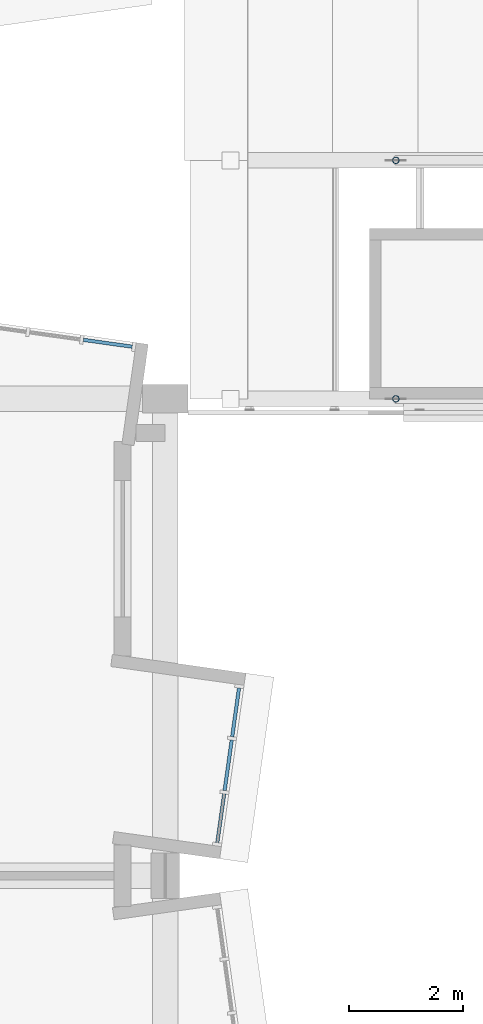
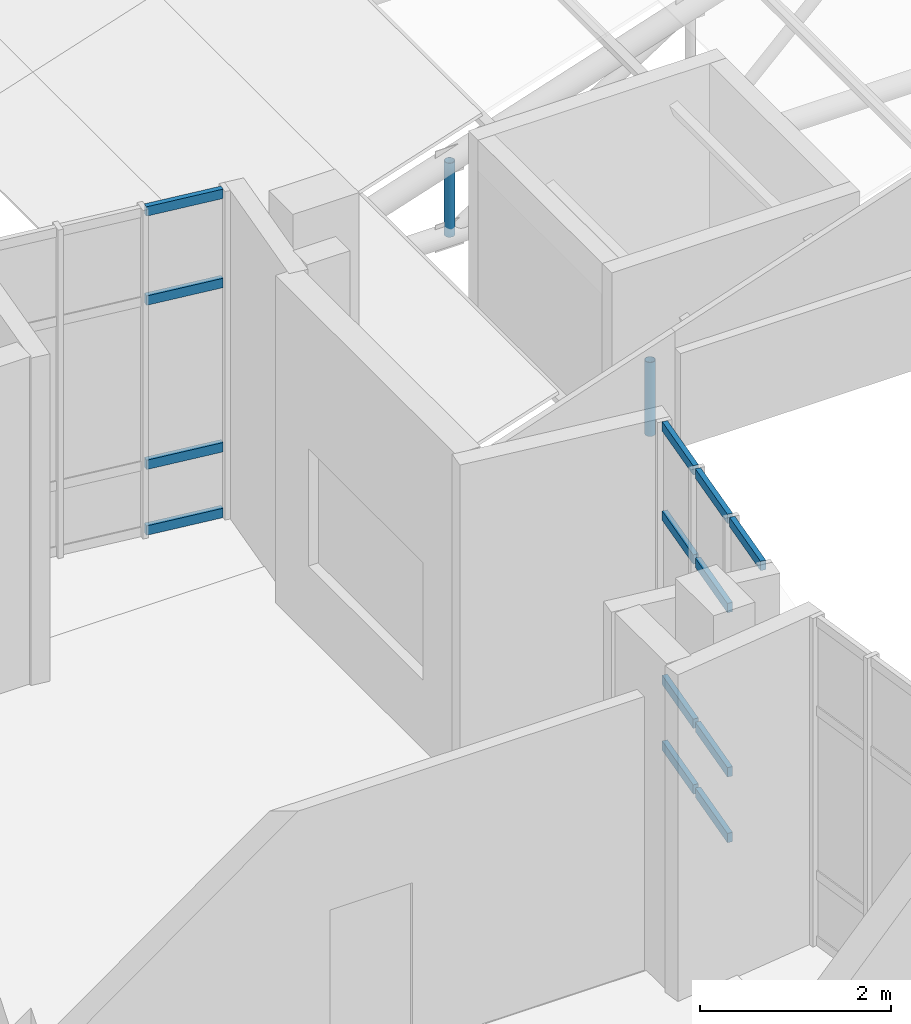
# One storey, part 59 of 95: 15 members, 2 elements without a shape of their own.
"""IFC4 building model written with IfcOpenShell, lengths in metres."""

from ifc_helpers import new_model, si_unit, direction, frame, origin, origin_2d, place, context, subcontext, project, spatial, rectangle, hollow_circle, extrude, material, layer, layer_set, material_profile, profile_set, type_object, element, aggregate, save


model = new_model("IFC4")

# Units and contexts
model_context = context("Model", 3, precision=1e-05, world=origin(), true_north=direction((0.0, 1.0)))
body_context = subcontext(model_context, "Body", "Model", "MODEL_VIEW")
ifc_project = project(units=[si_unit("LENGTHUNIT", "METRE"), si_unit("AREAUNIT", "SQUARE_METRE"), si_unit("VOLUMEUNIT", "CUBIC_METRE"), si_unit("PLANEANGLEUNIT", "RADIAN"), si_unit("MASSUNIT", "GRAM", prefix="KILO")], contexts=[model_context])

# Site, building, storey
site_placement = place(None, origin())
site = spatial("IfcSite", under=ifc_project, at=site_placement, CompositionType="ELEMENT")
building_placement = place(site_placement, origin())
building = spatial("IfcBuilding", under=site, at=building_placement, Name="Kiln Court Media Centre", CompositionType="ELEMENT")
storey_placement = place(building_placement, frame((0.0, 0.0, 24.60009765625)))
storey = spatial("IfcBuildingStorey", under=building, at=storey_placement, Name="L05", CompositionType="ELEMENT", Elevation=24.60009765625)

# Curtain wall, members
ifc_material_1 = material(Name="Aluminium 6063-T6", Category="aluminium")
ifc_layer = layer(ifc_material_1, 0.1201171875)
ifc_layer_set = layer_set([ifc_layer], Name="Aluminium unitised bay curtain wall")
curtain_wall_type = type_object("IfcCurtainWallType", Name="Aluminium unitised bay curtain wall", PredefinedType="USERDEFINED", material=ifc_layer_set)
curtain_wall_1_placement = place(storey_placement, origin())
curtain_wall_1 = element("IfcCurtainWall", 1, at=curtain_wall_1_placement, inside=storey, type_object=curtain_wall_type, Name="BAY V6A-E-L05-05 front", ObjectType="UNITISED CURTAIN WALL", PredefinedType="USERDEFINED")
ifc_material_2 = material(Name="Aluminium 6063-T6", Category="aluminium")
ifc_material_profile_1 = material_profile(ifc_material_2, rectangle(XDim=0.06005859375, YDim=0.1201171875, at=origin_2d()), Name="Aluminium transom 60x120")
ifc_profile_set_1 = profile_set([ifc_material_profile_1], Name="Aluminium 6063-T6")
member_type_1 = type_object("IfcMemberType", Name="Aluminium transom 60x120", PredefinedType="USERDEFINED", material=ifc_profile_set_1)
member_1_placement = place(storey_placement, frame((34.517822265625, 17.382568359375, 4.139892578125), z_axis=(0.139172815303, 0.990268108888, 0.0), x_axis=(-0.990268108888, 0.139172815303, 0.0)))
member_1 = element("IfcMember", 2, at=member_1_placement, type_object=member_type_1, Name="CW5-07 transom 1.4", ObjectType="TRANSOM", PredefinedType="USERDEFINED", context=body_context, shape_type="SweptSolid", body=[
    extrude(rectangle(XDim=0.06005859375, YDim=0.1201171875, at=origin_2d()), origin(), (0.0, 0.0, 1.0), 0.86669921875),
])
member_2_placement = place(storey_placement, frame((34.646728515625, 18.30029296875, 0.059814453125), z_axis=(0.13913384707, 0.990273584723, 0.0), x_axis=(-0.990273584723, 0.13913384707, 0.0)))
member_2 = element("IfcMember", 3, at=member_2_placement, type_object=member_type_1, Name="CW5-07 transom 2.1", ObjectType="TRANSOM", PredefinedType="USERDEFINED", context=body_context, shape_type="SweptSolid", body=[
    extrude(rectangle(XDim=0.06005859375, YDim=0.1201171875, at=origin_2d()), origin(), (0.0, 0.0, 1.0), 0.896728515625),
])
member_3_placement = place(storey_placement, frame((34.646728515625, 18.30029296875, 0.89990234375), z_axis=(0.13913384707, 0.990273584723, 0.0), x_axis=(-0.990273584723, 0.13913384707, 0.0)))
member_3 = element("IfcMember", 4, at=member_3_placement, type_object=member_type_1, Name="CW5-07 transom 2.2", ObjectType="TRANSOM", PredefinedType="USERDEFINED", context=body_context, shape_type="SweptSolid", body=[
    extrude(rectangle(XDim=0.06005859375, YDim=0.1201171875, at=origin_2d()), origin(), (0.0, 0.0, 1.0), 0.896728515625),
])
member_4_placement = place(storey_placement, frame((34.646728515625, 18.30029296875, 3.0), z_axis=(0.13913384707, 0.990273584723, 0.0), x_axis=(-0.990273584723, 0.13913384707, 0.0)))
member_4 = element("IfcMember", 5, at=member_4_placement, type_object=member_type_1, Name="CW5-07 transom 2.3", ObjectType="TRANSOM", PredefinedType="USERDEFINED", context=body_context, shape_type="SweptSolid", body=[
    extrude(rectangle(XDim=0.06005859375, YDim=0.1201171875, at=origin_2d()), origin(), (0.0, 0.0, 1.0), 0.896728515625),
])
member_5_placement = place(storey_placement, frame((34.646728515625, 18.30029296875, 4.139892578125), z_axis=(0.13913384707, 0.990273584723, 0.0), x_axis=(-0.990273584723, 0.13913384707, 0.0)))
member_5 = element("IfcMember", 6, at=member_5_placement, type_object=member_type_1, Name="CW5-07 transom 2.4", ObjectType="TRANSOM", PredefinedType="USERDEFINED", context=body_context, shape_type="SweptSolid", body=[
    extrude(rectangle(XDim=0.06005859375, YDim=0.1201171875, at=origin_2d()), origin(), (0.0, 0.0, 1.0), 0.896728515625),
])
member_6_placement = place(storey_placement, frame((34.77978515625, 19.24755859375, 0.059814453125), z_axis=(0.139172815303, 0.990268108888, 0.0), x_axis=(-0.990268108888, 0.139172815303, 0.0)))
member_6 = element("IfcMember", 7, at=member_6_placement, type_object=member_type_1, Name="CW5-07 transom 3.1", ObjectType="TRANSOM", PredefinedType="USERDEFINED", context=body_context, shape_type="SweptSolid", body=[
    extrude(rectangle(XDim=0.06005859375, YDim=0.1201171875, at=origin_2d()), origin(), (0.0, 0.0, 1.0), 0.86669921875),
])
member_7_placement = place(storey_placement, frame((34.77978515625, 19.24755859375, 0.89990234375), z_axis=(0.139172815303, 0.990268108888, 0.0), x_axis=(-0.990268108888, 0.139172815303, 0.0)))
member_7 = element("IfcMember", 8, at=member_7_placement, type_object=member_type_1, Name="CW5-07 transom 3.2", ObjectType="TRANSOM", PredefinedType="USERDEFINED", context=body_context, shape_type="SweptSolid", body=[
    extrude(rectangle(XDim=0.06005859375, YDim=0.1201171875, at=origin_2d()), origin(), (0.0, 0.0, 1.0), 0.86669921875),
])
member_8_placement = place(storey_placement, frame((34.77978515625, 19.24755859375, 3.0), z_axis=(0.139172815303, 0.990268108888, 0.0), x_axis=(-0.990268108888, 0.139172815303, 0.0)))
member_8 = element("IfcMember", 9, at=member_8_placement, type_object=member_type_1, Name="CW5-07 transom 3.3", ObjectType="TRANSOM", PredefinedType="USERDEFINED", context=body_context, shape_type="SweptSolid", body=[
    extrude(rectangle(XDim=0.06005859375, YDim=0.1201171875, at=origin_2d()), origin(), (0.0, 0.0, 1.0), 0.86669921875),
])
member_9_placement = place(storey_placement, frame((34.77978515625, 19.24755859375, 4.139892578125), z_axis=(0.139172815303, 0.990268108888, 0.0), x_axis=(-0.990268108888, 0.139172815303, 0.0)))
member_9 = element("IfcMember", 10, at=member_9_placement, type_object=member_type_1, Name="CW5-07 transom 3.4", ObjectType="TRANSOM", PredefinedType="USERDEFINED", context=body_context, shape_type="SweptSolid", body=[
    extrude(rectangle(XDim=0.06005859375, YDim=0.1201171875, at=origin_2d()), origin(), (0.0, 0.0, 1.0), 0.86669921875),
])
aggregate(curtain_wall_1, [member_1, member_2, member_3, member_4, member_5, member_6, member_7, member_8, member_9])

curtain_wall_2_placement = place(storey_placement, origin())
curtain_wall_2 = element("IfcCurtainWall", 11, at=curtain_wall_2_placement, inside=storey, type_object=curtain_wall_type, Name="BAY V6A-N-L05-36 front", ObjectType="UNITISED CURTAIN WALL", PredefinedType="USERDEFINED")
member_10_placement = place(storey_placement, frame((32.1591796875, 26.23828125, 0.059814453125), z_axis=(0.990273563383, -0.139133998951, 0.0), x_axis=(0.139133998951, 0.990273563383, 0.0)))
member_10 = element("IfcMember", 12, at=member_10_placement, type_object=member_type_1, Name="CW5-14 transom 3.1", ObjectType="TRANSOM", PredefinedType="USERDEFINED", context=body_context, shape_type="SweptSolid", body=[
    extrude(rectangle(XDim=0.06005859375, YDim=0.1201171875, at=origin_2d()), origin(), (0.0, 0.0, 1.0), 0.866943359375),
])
member_11_placement = place(storey_placement, frame((32.1591796875, 26.23828125, 0.89990234375), z_axis=(0.990273563383, -0.139133998951, 0.0), x_axis=(0.139133998951, 0.990273563383, 0.0)))
member_11 = element("IfcMember", 13, at=member_11_placement, type_object=member_type_1, Name="CW5-14 transom 3.2", ObjectType="TRANSOM", PredefinedType="USERDEFINED", context=body_context, shape_type="SweptSolid", body=[
    extrude(rectangle(XDim=0.06005859375, YDim=0.1201171875, at=origin_2d()), origin(), (0.0, 0.0, 1.0), 0.866943359375),
])
member_12_placement = place(storey_placement, frame((32.1591796875, 26.23828125, 3.0), z_axis=(0.990273563383, -0.139133998951, 0.0), x_axis=(0.139133998951, 0.990273563383, 0.0)))
member_12 = element("IfcMember", 14, at=member_12_placement, type_object=member_type_1, Name="CW5-14 transom 3.3", ObjectType="TRANSOM", PredefinedType="USERDEFINED", context=body_context, shape_type="SweptSolid", body=[
    extrude(rectangle(XDim=0.06005859375, YDim=0.1201171875, at=origin_2d()), origin(), (0.0, 0.0, 1.0), 0.866943359375),
])
member_13_placement = place(storey_placement, frame((32.1591796875, 26.23828125, 4.139892578125), z_axis=(0.990273563383, -0.139133998951, 0.0), x_axis=(0.139133998951, 0.990273563383, 0.0)))
member_13 = element("IfcMember", 15, at=member_13_placement, type_object=member_type_1, Name="CW5-14 transom 3.4", ObjectType="TRANSOM", PredefinedType="USERDEFINED", context=body_context, shape_type="SweptSolid", body=[
    extrude(rectangle(XDim=0.06005859375, YDim=0.1201171875, at=origin_2d()), origin(), (0.0, 0.0, 1.0), 0.866943359375),
])
aggregate(curtain_wall_2, [member_10, member_11, member_12, member_13])

# Members
ifc_material_3 = material(Name="Steel ASTM A500 Gr C", Category="steel")
ifc_material_profile_2 = material_profile(ifc_material_3, hollow_circle(Radius=0.05712890625, WallThickness=0.0048828125, at=origin_2d()), Name="CHS 114.3x5.0")
ifc_profile_set_2 = profile_set([ifc_material_profile_2], Name="Steel ASTM A500 Gr C")
member_type_2 = type_object("IfcMemberType", Name="Steel ASTM A500 Gr C CHS 114.3x5.0 truss web", PredefinedType="BRACE", material=ifc_profile_set_2)
for number, where, z_axis, x_axis, name in (
    (16, (37.66259765625, 25.199951171875, -0.013916015625), (0.0, 0.0, 1.0), (1.0, 0.0, 0.0), "foyer truss FT-01 post 1 truss web"),
    (17, (37.66259765625, 29.39990234375, -0.013916015625), (0.0, 0.0, 1.0), (1.0, 0.0, 0.0), "foyer truss FT-02 post 1 truss web"),
):
    element("IfcMember", number, at=place(storey_placement, frame(where, z_axis=z_axis, x_axis=x_axis)), inside=storey, type_object=member_type_2, Name=name, PredefinedType="BRACE", context=body_context, shape_type="SweptSolid", body=[
        extrude(hollow_circle(Radius=0.05712890625, WallThickness=0.0048828125, at=origin_2d()), origin(), (0.0, 0.0, 1.0), 0.946533203125),
    ])

save(model, "model.ifc")
